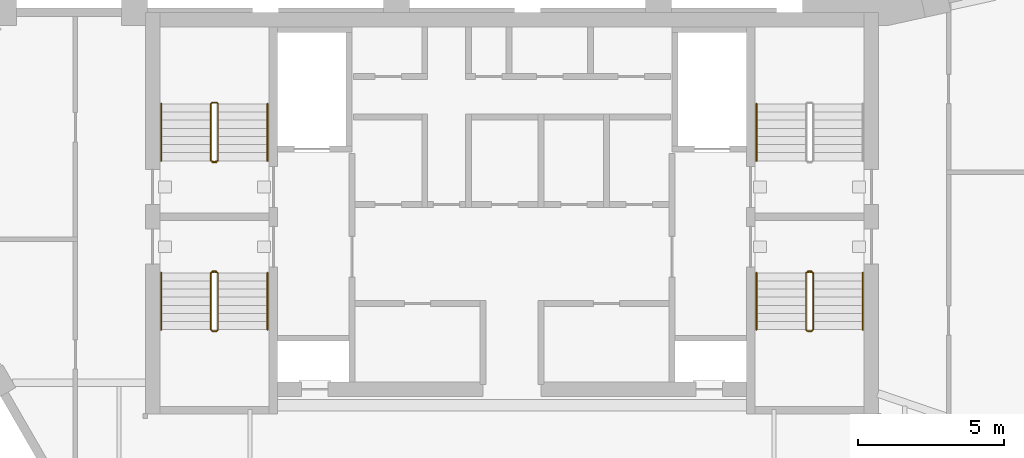
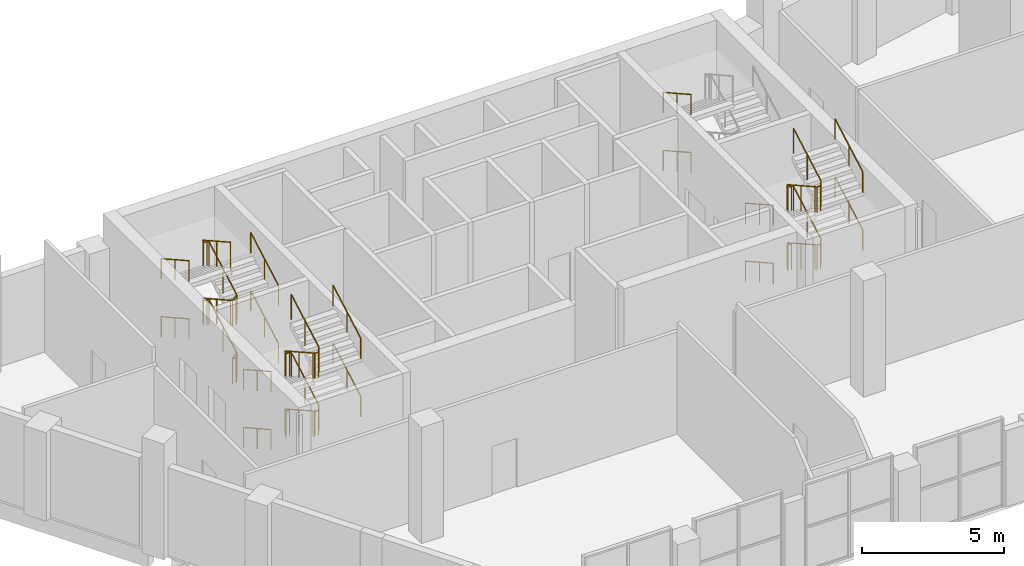
# One storey, part 8 of 9: 17 railings.
"""IFC4 building model written with IfcOpenShell, lengths in metres."""

import ifcopenshell
import ifcopenshell.guid

model = None  # the IFC model being written
_history = None  # IfcOwnerHistory: only IFC2X3 demands one
_inside = {}  # id of a spatial element -> (the spatial element, [elements in it])
_under = {}  # id of a project, library or spatial element -> (it, [spatial elements below it])
_declared = {}  # id of a project -> (the project, [libraries it declares])
_typed = {}  # id of a type object -> (the type object, [elements of that type])
_made_of = {}  # id of a material, layer set ... -> (it, [elements and type objects made of it])


def new_model(schema):
    """Start an empty IFC model of exactly this schema.

    Asked for "IFC4X3", IfcOpenShell would pick the latest addendum, in which some entities
    have other attributes; the version numbers below select the first issue.
    IFC2X3 requires an IfcOwnerHistory on every rooted entity: one is made here for all.
    """
    global model, _history
    if schema == "IFC4X3":
        model = ifcopenshell.file(schema_version=(4, 3, 0, 0))
    else:
        model = ifcopenshell.file(schema=schema)
    _inside.clear()
    _under.clear()
    _declared.clear()
    _typed.clear()
    _made_of.clear()
    _history = None
    if model.schema == "IFC2X3":
        org = make("IfcOrganization", Name="unknown")
        user = make(
            "IfcPersonAndOrganization",
            ThePerson=make("IfcPerson", FamilyName="unknown"),
            TheOrganization=org,
        )
        app = make(
            "IfcApplication",
            ApplicationDeveloper=org,
            Version="unknown",
            ApplicationFullName="unknown",
            ApplicationIdentifier="unknown",
        )
        _history = make(
            "IfcOwnerHistory",
            OwningUser=user,
            OwningApplication=app,
            ChangeAction="ADDED",
            CreationDate=0,
        )
    return model


def make(cls, **values):
    """One entity of the class cls with the attributes given. An attribute that is None is left unset."""
    return model.create_entity(
        cls, **{name: value for name, value in values.items() if value is not None}
    )


def rooted(cls, **values):
    """An entity with a GlobalId (a new one), such as an element, a storey or a relation."""
    return make(cls, GlobalId=ifcopenshell.guid.new(), OwnerHistory=_history, **values)


def si_unit(unit_type, name, prefix=None):
    """IfcSIUnit, for example si_unit("LENGTHUNIT", "METRE", prefix="MILLI")."""
    return make("IfcSIUnit", UnitType=unit_type, Prefix=prefix, Name=name)


def assignment(units):
    """IfcUnitAssignment: the units of a project."""
    return None if units is None else make("IfcUnitAssignment", Units=units)


def point(xyz):
    """IfcCartesianPoint."""
    return None if xyz is None else make("IfcCartesianPoint", Coordinates=xyz)


def direction(xyz):
    """IfcDirection."""
    return None if xyz is None else make("IfcDirection", DirectionRatios=xyz)


def frame(location, z_axis=None, x_axis=None):
    """IfcAxis2Placement3D, a coordinate frame: its origin and axes. An axis left out is left unset."""
    return make(
        "IfcAxis2Placement3D",
        Location=point(location),
        Axis=direction(z_axis),
        RefDirection=direction(x_axis),
    )


def frame_2d(location, x_axis=None):
    """IfcAxis2Placement2D, a coordinate frame in the plane: its origin and x axis."""
    return make(
        "IfcAxis2Placement2D", Location=point(location), RefDirection=direction(x_axis)
    )


def origin():
    """The frame at (0, 0, 0) with its axes left unset."""
    return frame((0.0, 0.0, 0.0))


def origin_2d():
    """The frame at (0, 0) in the plane with its x axis left unset."""
    return frame_2d((0.0, 0.0))


def place(relative_to, where):
    """IfcLocalPlacement: puts the frame where relative to a parent placement (None: the world)."""
    return make(
        "IfcLocalPlacement", PlacementRelTo=relative_to, RelativePlacement=where
    )


def context(
    kind, dimensions, precision=None, world=None, true_north=None, identifier=None
):
    """IfcGeometricRepresentationContext, for example the 3D "Model" context."""
    return make(
        "IfcGeometricRepresentationContext",
        ContextIdentifier=identifier,
        ContextType=kind,
        CoordinateSpaceDimension=dimensions,
        Precision=precision,
        WorldCoordinateSystem=world,
        TrueNorth=true_north,
    )


def subcontext(parent, identifier, kind, view, scale=None):
    """IfcGeometricRepresentationSubContext, for example "Body" below "Model"."""
    return make(
        "IfcGeometricRepresentationSubContext",
        ContextIdentifier=identifier,
        ContextType=kind,
        ParentContext=parent,
        TargetScale=scale,
        TargetView=view,
    )


def project(units=None, contexts=None):
    """IfcProject with its units and contexts."""
    return rooted(
        "IfcProject",
        Name="project",
        RepresentationContexts=contexts,
        UnitsInContext=assignment(units),
    )


def spatial(cls, under=None, at=None, **own):
    """A site, building, storey or space (cls), placed at a placement, below another one or the project."""
    s = rooted(cls, ObjectPlacement=at, **own)
    if under is not None:
        _under.setdefault(under.id(), (under, []))[1].append(s)
    return s


def profile(cls, at=None, kind="AREA", **sizes):
    """A parametric profile (cls). Its sizes go by their IFC names, for example OverallWidth=200.0."""
    return make(cls, ProfileType=kind, Position=at, **sizes)


def circle(**sizes):
    """IfcCircleProfileDef."""
    return profile("IfcCircleProfileDef", **sizes)


def extrude(swept, where, along, depth):
    """IfcExtrudedAreaSolid: the profile swept, set in the frame where, extruded along a direction by depth."""
    return make(
        "IfcExtrudedAreaSolid",
        SweptArea=swept,
        Position=where,
        ExtrudedDirection=direction(along),
        Depth=depth,
    )


def shape(context_of_items, identifier, shape_type, items):
    """IfcShapeRepresentation: the items that make up one representation, for example the "Body"."""
    return make(
        "IfcShapeRepresentation",
        ContextOfItems=context_of_items,
        RepresentationIdentifier=identifier,
        RepresentationType=shape_type,
        Items=items,
    )


def material(Name=None, Category=None):
    """IfcMaterial."""
    return make("IfcMaterial", Name=Name, Category=Category)


def made_of(thing, what):
    """Note that an element or type object is made of a material, layer set ...; save() writes the relation."""
    if what is not None:
        _made_of.setdefault(what.id(), (what, []))[1].append(thing)
    return thing


def type_object(cls, material=None, **own):
    """A type object (cls), such as IfcWallType, which elements share."""
    return made_of(rooted(cls, **own), material)


def element(
    cls,
    number,
    at=None,
    inside=None,
    cuts=None,
    type_object=None,
    material=None,
    context=None,
    identifier="Body",
    shape_type=None,
    held_by="IfcProductDefinitionShape",
    body=None,
    shapes=None,
    **own,
):
    """One element of the class cls, such as IfcWall. Its Tag is "e" and its number.

    at: its placement. inside: the storey or other place that contains it. cuts: it is an
    opening in that element (IfcRelVoidsElement). A single representation is given by context,
    identifier, shape_type and body (its items); several are given by shapes. held_by: the class
    of the entity that holds the representations. save() writes the other relations.
    """
    e = rooted(cls, Tag="e%d" % number, ObjectPlacement=at, **own)
    if body is not None:
        shapes = [shape(context, identifier, shape_type, body)]
    if shapes is not None:
        e.Representation = make(held_by, Representations=shapes)
    if inside is not None:
        _inside.setdefault(inside.id(), (inside, []))[1].append(e)
    if cuts is not None:
        rooted(
            "IfcRelVoidsElement", RelatingBuildingElement=cuts, RelatedOpeningElement=e
        )
    if type_object is not None:
        _typed.setdefault(type_object.id(), (type_object, []))[1].append(e)
    return made_of(e, material)


def aggregate(whole, parts):
    """IfcRelAggregates: a whole, such as a stair, and the parts it consists of."""
    return rooted("IfcRelAggregates", RelatingObject=whole, RelatedObjects=parts)


def save(model, path):
    """Write the relations noted so far, then the file.

    IfcRelAggregates (storeys below a building ...), IfcRelContainedInSpatialStructure (elements
    in a storey), IfcRelDefinesByType, IfcRelAssociatesMaterial and IfcRelDeclares: one each for
    every whole, place, type object, material and project.
    """
    for whole, parts in _under.values():
        aggregate(whole, parts)
    for where, things in _inside.values():
        rooted(
            "IfcRelContainedInSpatialStructure",
            RelatedElements=things,
            RelatingStructure=where,
        )
    for kind, things in _typed.values():
        rooted("IfcRelDefinesByType", RelatedObjects=things, RelatingType=kind)
    for what, things in _made_of.values():
        rooted("IfcRelAssociatesMaterial", RelatedObjects=things, RelatingMaterial=what)
    for by, libraries in _declared.values():
        rooted("IfcRelDeclares", RelatingContext=by, RelatedDefinitions=libraries)
    model.write(path)


model = new_model("IFC4")

# Units and contexts
model_context = context("Model", 3, precision=1e-05, world=origin(), true_north=direction((0.0, 1.0)))
body_context = subcontext(model_context, "Body", "Model", "MODEL_VIEW")
ifc_project = project(units=[si_unit("LENGTHUNIT", "METRE"), si_unit("AREAUNIT", "SQUARE_METRE"), si_unit("VOLUMEUNIT", "CUBIC_METRE"), si_unit("PLANEANGLEUNIT", "RADIAN"), si_unit("MASSUNIT", "GRAM", prefix="KILO")], contexts=[model_context])

# Site, building, storey
site_placement = place(None, origin())
site = spatial("IfcSite", under=ifc_project, at=site_placement, CompositionType="ELEMENT")
building_placement = place(site_placement, origin())
building = spatial("IfcBuilding", under=site, at=building_placement, Name="Calabash Gate Tower", CompositionType="ELEMENT")
storey_placement = place(building_placement, frame((0.0, 0.0, 325.5)))
storey = spatial("IfcBuildingStorey", under=building, at=storey_placement, Name="L76", CompositionType="ELEMENT", Elevation=325.5)

# Railings
ifc_material_1 = material(Name="Black powder-coated steel balusters", Category="steel")
railing_type_1 = type_object("IfcRailingType", Name="Stair guard RL1100", PredefinedType="GUARDRAIL", material=ifc_material_1)
railing_1_placement = place(storey_placement, frame((-10.14990234375, 13.902587890625, 0.0)))
element("IfcRailing", 1, at=railing_1_placement, inside=storey, type_object=railing_type_1, Name="L76 ST1 stair guard 1", PredefinedType="GUARDRAIL", context=body_context, shape_type="SweptSolid", body=[
    extrude(circle(Radius=0.02392578125, at=origin_2d()), frame((0.0, 0.0, 1.076171875), z_axis=(-1.0, 0.0, 0.0), x_axis=(0.0, -1.0, 0.0)), (0.0, 0.0, 1.0), 0.150146484375),
    extrude(circle(Radius=0.02392578125, at=origin_2d()), frame((-0.150146484375, 0.0, 1.076171875), z_axis=(0.77305925043, 0.19350078918, 0.604100024756), x_axis=(-0.242814311512, 0.970072785993, 0.0)), (0.0, 0.0, 1.0), 0.258544921875),
    extrude(circle(Radius=0.02392578125, at=origin_2d()), frame((0.0498046875, 0.050048828125, 1.232421875), z_axis=(0.0, 0.872479975208, 0.48864986735), x_axis=(-1.0, 0.0, 0.0)), (0.0, 0.0, 1.0), 2.23828125),
    extrude(circle(Radius=0.02392578125, at=origin_2d()), frame((0.0498046875, 2.0029296875, 2.326171875), z_axis=(-0.705375805398, 0.708833529934, 0.0), x_axis=(-0.708833529934, -0.705375805398, 0.0)), (0.0, 0.0, 1.0), 0.070556640625),
    extrude(circle(Radius=0.02392578125, at=origin_2d()), frame((0.0, 2.052978515625, 2.326171875), z_axis=(-1.0, 0.0, 0.0), x_axis=(0.0, -1.0, 0.0)), (0.0, 0.0, 1.0), 0.150146484375),
    extrude(circle(Radius=0.02392578125, at=origin_2d()), frame((-0.150146484375, 2.052978515625, 2.326171875), z_axis=(-0.29177245553, -0.29177245553, 0.91089937336), x_axis=(0.707106781187, -0.707106781187, 0.0)), (0.0, 0.0, 1.0), 0.171630859375),
    extrude(circle(Radius=0.02392578125, at=origin_2d()), frame((-0.2001953125, 2.0029296875, 2.482421875), z_axis=(0.0, -0.872479975208, 0.48864986735), x_axis=(1.0, 0.0, 0.0)), (0.0, 0.0, 1.0), 2.23828125),
    extrude(circle(Radius=0.02392578125, at=origin_2d()), frame((-0.2001953125, 0.050048828125, 3.576171875), z_axis=(0.970142500145, -0.242535625036, 0.0), x_axis=(0.242535625036, 0.970142500145, 0.0)), (0.0, 0.0, 1.0), 0.206298828125),
    extrude(circle(Radius=0.02392578125, at=origin_2d()), frame((0.0, 0.0, 3.576171875), z_axis=(-1.0, 0.0, 0.0), x_axis=(0.0, -1.0, 0.0)), (0.0, 0.0, 1.0), 0.150146484375),
    extrude(circle(Radius=0.02392578125, at=origin_2d()), frame((-0.150146484375, 0.0, 3.576171875), z_axis=(0.77305925043, 0.19350078918, 0.604100024756), x_axis=(-0.242814311512, 0.970072785993, 0.0)), (0.0, 0.0, 1.0), 0.258544921875),
    extrude(circle(Radius=0.02392578125, at=origin_2d()), frame((0.0498046875, 0.050048828125, 3.732421875), z_axis=(0.0, 0.872479975208, 0.48864986735), x_axis=(-1.0, 0.0, 0.0)), (0.0, 0.0, 1.0), 2.23828125),
    extrude(circle(Radius=0.02392578125, at=origin_2d()), frame((0.0498046875, 2.0029296875, 4.826171875), z_axis=(-0.705375805398, 0.708833529934, 0.0), x_axis=(-0.708833529934, -0.705375805398, 0.0)), (0.0, 0.0, 1.0), 0.070556640625),
    extrude(circle(Radius=0.02392578125, at=origin_2d()), frame((0.0, 2.052978515625, 4.826171875), z_axis=(-1.0, 0.0, 0.0), x_axis=(0.0, -1.0, 0.0)), (0.0, 0.0, 1.0), 0.150146484375),
    extrude(circle(Radius=0.02392578125, at=origin_2d()), frame((-0.150146484375, 2.052978515625, 4.826171875), z_axis=(-0.29177245553, -0.29177245553, 0.91089937336), x_axis=(0.707106781187, -0.707106781187, 0.0)), (0.0, 0.0, 1.0), 0.171630859375),
    extrude(circle(Radius=0.02392578125, at=origin_2d()), frame((-0.2001953125, 2.0029296875, 4.982421875), z_axis=(0.0, -0.872479975208, 0.48864986735), x_axis=(1.0, 0.0, 0.0)), (0.0, 0.0, 1.0), 2.23828125),
    extrude(circle(Radius=0.02099609375, at=origin_2d()), origin(), (0.0, 0.0, 1.0), 1.052001953125),
    extrude(circle(Radius=0.02099609375, at=origin_2d()), frame((-0.150146484375, 0.0, 0.0)), (0.0, 0.0, 1.0), 1.052001953125),
    extrude(circle(Radius=0.02099609375, at=origin_2d()), frame((0.0498046875, 0.050048828125, 0.15625)), (0.0, 0.0, 1.0), 1.052001953125),
    extrude(circle(Radius=0.02099609375, at=origin_2d()), frame((0.0498046875, 1.0263671875, 0.703125)), (0.0, 0.0, 1.0), 1.052001953125),
    extrude(circle(Radius=0.02099609375, at=origin_2d()), frame((0.0498046875, 2.0029296875, 1.25)), (0.0, 0.0, 1.0), 1.052001953125),
    extrude(circle(Radius=0.02099609375, at=origin_2d()), frame((0.0, 2.052978515625, 1.25)), (0.0, 0.0, 1.0), 1.052001953125),
    extrude(circle(Radius=0.02099609375, at=origin_2d()), frame((-0.150146484375, 2.052978515625, 1.25)), (0.0, 0.0, 1.0), 1.052001953125),
    extrude(circle(Radius=0.02099609375, at=origin_2d()), frame((-0.2001953125, 2.0029296875, 1.40625)), (0.0, 0.0, 1.0), 1.052001953125),
    extrude(circle(Radius=0.02099609375, at=origin_2d()), frame((-0.2001953125, 1.0263671875, 1.953125)), (0.0, 0.0, 1.0), 1.052001953125),
    extrude(circle(Radius=0.02099609375, at=origin_2d()), frame((-0.2001953125, 0.050048828125, 2.5)), (0.0, 0.0, 1.0), 1.052001953125),
    extrude(circle(Radius=0.02099609375, at=origin_2d()), frame((0.0, 0.0, 2.5)), (0.0, 0.0, 1.0), 1.052001953125),
    extrude(circle(Radius=0.02099609375, at=origin_2d()), frame((-0.150146484375, 0.0, 2.5)), (0.0, 0.0, 1.0), 1.052001953125),
    extrude(circle(Radius=0.02099609375, at=origin_2d()), frame((0.0498046875, 0.050048828125, 2.65625)), (0.0, 0.0, 1.0), 1.052001953125),
    extrude(circle(Radius=0.02099609375, at=origin_2d()), frame((0.0498046875, 1.0263671875, 3.203125)), (0.0, 0.0, 1.0), 1.052001953125),
    extrude(circle(Radius=0.02099609375, at=origin_2d()), frame((0.0498046875, 2.0029296875, 3.75)), (0.0, 0.0, 1.0), 1.052001953125),
    extrude(circle(Radius=0.02099609375, at=origin_2d()), frame((0.0, 2.052978515625, 3.75)), (0.0, 0.0, 1.0), 1.052001953125),
    extrude(circle(Radius=0.02099609375, at=origin_2d()), frame((-0.150146484375, 2.052978515625, 3.75)), (0.0, 0.0, 1.0), 1.052001953125),
    extrude(circle(Radius=0.02099609375, at=origin_2d()), frame((-0.2001953125, 2.0029296875, 3.90625)), (0.0, 0.0, 1.0), 1.052001953125),
    extrude(circle(Radius=0.02099609375, at=origin_2d()), frame((-0.2001953125, 1.0263671875, 4.453125)), (0.0, 0.0, 1.0), 1.052001953125),
    extrude(circle(Radius=0.02099609375, at=origin_2d()), frame((-0.2001953125, 0.050048828125, 5.0)), (0.0, 0.0, 1.0), 1.052001953125),
])
railing_2_placement = place(storey_placement, frame((-10.300048828125, 10.152587890625, 0.0)))
element("IfcRailing", 2, at=railing_2_placement, inside=storey, type_object=railing_type_1, Name="L76 ST2 stair guard 1", PredefinedType="GUARDRAIL", context=body_context, shape_type="SweptSolid", body=[
    extrude(circle(Radius=0.02392578125, at=origin_2d()), frame((0.0, 0.0, 1.076171875), z_axis=(1.0, 0.0, 0.0), x_axis=(0.0, 1.0, 0.0)), (0.0, 0.0, 1.0), 0.150146484375),
    extrude(circle(Radius=0.02392578125, at=origin_2d()), frame((0.150146484375, 0.0, 1.076171875), z_axis=(-0.773438643492, -0.193359660873, 0.603659429067), x_axis=(0.242535625036, -0.970142500145, 0.0)), (0.0, 0.0, 1.0), 0.2587890625),
    extrude(circle(Radius=0.02392578125, at=origin_2d()), frame((-0.050048828125, -0.050048828125, 1.232421875), z_axis=(0.0, -0.872479975208, 0.48864986735), x_axis=(1.0, 0.0, 0.0)), (0.0, 0.0, 1.0), 2.23828125),
    extrude(circle(Radius=0.02392578125, at=origin_2d()), frame((-0.050048828125, -2.0029296875, 2.326171875), z_axis=(0.707106781187, -0.707106781187, 0.0), x_axis=(0.707106781187, 0.707106781187, 0.0)), (0.0, 0.0, 1.0), 0.07080078125),
    extrude(circle(Radius=0.02392578125, at=origin_2d()), frame((0.0, -2.052978515625, 2.326171875), z_axis=(1.0, 0.0, 0.0), x_axis=(0.0, 1.0, 0.0)), (0.0, 0.0, 1.0), 0.150146484375),
    extrude(circle(Radius=0.02392578125, at=origin_2d()), frame((0.150146484375, -2.052978515625, 2.326171875), z_axis=(0.290469530425, 0.291893400672, 0.911276958196), x_axis=(-0.708833529934, 0.705375805398, 0.0)), (0.0, 0.0, 1.0), 0.17138671875),
    extrude(circle(Radius=0.02392578125, at=origin_2d()), frame((0.199951171875, -2.0029296875, 2.482421875), z_axis=(0.0, 0.872479975208, 0.48864986735), x_axis=(-1.0, 0.0, 0.0)), (0.0, 0.0, 1.0), 2.23828125),
    extrude(circle(Radius=0.02392578125, at=origin_2d()), frame((0.199951171875, -0.050048828125, 3.576171875), z_axis=(-0.970072785993, 0.242814311512, 0.0), x_axis=(-0.242814311512, -0.970072785993, 0.0)), (0.0, 0.0, 1.0), 0.2060546875),
    extrude(circle(Radius=0.02392578125, at=origin_2d()), frame((0.0, 0.0, 3.576171875), z_axis=(1.0, 0.0, 0.0), x_axis=(0.0, 1.0, 0.0)), (0.0, 0.0, 1.0), 0.150146484375),
    extrude(circle(Radius=0.02392578125, at=origin_2d()), frame((0.150146484375, 0.0, 3.576171875), z_axis=(-0.773438643492, -0.193359660873, 0.603659429067), x_axis=(0.242535625036, -0.970142500145, 0.0)), (0.0, 0.0, 1.0), 0.2587890625),
    extrude(circle(Radius=0.02392578125, at=origin_2d()), frame((-0.050048828125, -0.050048828125, 3.732421875), z_axis=(0.0, -0.872479975208, 0.48864986735), x_axis=(1.0, 0.0, 0.0)), (0.0, 0.0, 1.0), 2.23828125),
    extrude(circle(Radius=0.02392578125, at=origin_2d()), frame((-0.050048828125, -2.0029296875, 4.826171875), z_axis=(0.707106781187, -0.707106781187, 0.0), x_axis=(0.707106781187, 0.707106781187, 0.0)), (0.0, 0.0, 1.0), 0.07080078125),
    extrude(circle(Radius=0.02392578125, at=origin_2d()), frame((0.0, -2.052978515625, 4.826171875), z_axis=(1.0, 0.0, 0.0), x_axis=(0.0, 1.0, 0.0)), (0.0, 0.0, 1.0), 0.150146484375),
    extrude(circle(Radius=0.02392578125, at=origin_2d()), frame((0.150146484375, -2.052978515625, 4.826171875), z_axis=(0.290469530425, 0.291893400672, 0.911276958196), x_axis=(-0.708833529934, 0.705375805398, 0.0)), (0.0, 0.0, 1.0), 0.17138671875),
    extrude(circle(Radius=0.02392578125, at=origin_2d()), frame((0.199951171875, -2.0029296875, 4.982421875), z_axis=(0.0, 0.872479975208, 0.48864986735), x_axis=(-1.0, 0.0, 0.0)), (0.0, 0.0, 1.0), 2.23828125),
    extrude(circle(Radius=0.02099609375, at=origin_2d()), origin(), (0.0, 0.0, 1.0), 1.052001953125),
    extrude(circle(Radius=0.02099609375, at=origin_2d()), frame((0.150146484375, 0.0, 0.0)), (0.0, 0.0, 1.0), 1.052001953125),
    extrude(circle(Radius=0.02099609375, at=origin_2d()), frame((-0.050048828125, -0.050048828125, 0.15625)), (0.0, 0.0, 1.0), 1.052001953125),
    extrude(circle(Radius=0.02099609375, at=origin_2d()), frame((-0.050048828125, -1.0263671875, 0.703125)), (0.0, 0.0, 1.0), 1.052001953125),
    extrude(circle(Radius=0.02099609375, at=origin_2d()), frame((-0.050048828125, -2.0029296875, 1.25)), (0.0, 0.0, 1.0), 1.052001953125),
    extrude(circle(Radius=0.02099609375, at=origin_2d()), frame((0.0, -2.052978515625, 1.25)), (0.0, 0.0, 1.0), 1.052001953125),
    extrude(circle(Radius=0.02099609375, at=origin_2d()), frame((0.150146484375, -2.052978515625, 1.25)), (0.0, 0.0, 1.0), 1.052001953125),
    extrude(circle(Radius=0.02099609375, at=origin_2d()), frame((0.199951171875, -2.0029296875, 1.40625)), (0.0, 0.0, 1.0), 1.052001953125),
    extrude(circle(Radius=0.02099609375, at=origin_2d()), frame((0.199951171875, -1.0263671875, 1.953125)), (0.0, 0.0, 1.0), 1.052001953125),
    extrude(circle(Radius=0.02099609375, at=origin_2d()), frame((0.199951171875, -0.050048828125, 2.5)), (0.0, 0.0, 1.0), 1.052001953125),
    extrude(circle(Radius=0.02099609375, at=origin_2d()), frame((0.0, 0.0, 2.5)), (0.0, 0.0, 1.0), 1.052001953125),
    extrude(circle(Radius=0.02099609375, at=origin_2d()), frame((0.150146484375, 0.0, 2.5)), (0.0, 0.0, 1.0), 1.052001953125),
    extrude(circle(Radius=0.02099609375, at=origin_2d()), frame((-0.050048828125, -0.050048828125, 2.65625)), (0.0, 0.0, 1.0), 1.052001953125),
    extrude(circle(Radius=0.02099609375, at=origin_2d()), frame((-0.050048828125, -1.0263671875, 3.203125)), (0.0, 0.0, 1.0), 1.052001953125),
    extrude(circle(Radius=0.02099609375, at=origin_2d()), frame((-0.050048828125, -2.0029296875, 3.75)), (0.0, 0.0, 1.0), 1.052001953125),
    extrude(circle(Radius=0.02099609375, at=origin_2d()), frame((0.0, -2.052978515625, 3.75)), (0.0, 0.0, 1.0), 1.052001953125),
    extrude(circle(Radius=0.02099609375, at=origin_2d()), frame((0.150146484375, -2.052978515625, 3.75)), (0.0, 0.0, 1.0), 1.052001953125),
    extrude(circle(Radius=0.02099609375, at=origin_2d()), frame((0.199951171875, -2.0029296875, 3.90625)), (0.0, 0.0, 1.0), 1.052001953125),
    extrude(circle(Radius=0.02099609375, at=origin_2d()), frame((0.199951171875, -1.0263671875, 4.453125)), (0.0, 0.0, 1.0), 1.052001953125),
    extrude(circle(Radius=0.02099609375, at=origin_2d()), frame((0.199951171875, -0.050048828125, 5.0)), (0.0, 0.0, 1.0), 1.052001953125),
])
railing_3_placement = place(storey_placement, frame((10.14990234375, 10.152587890625, 0.0)))
element("IfcRailing", 3, at=railing_3_placement, inside=storey, type_object=railing_type_1, Name="L76 ST4 stair guard 1", PredefinedType="GUARDRAIL", context=body_context, shape_type="SweptSolid", body=[
    extrude(circle(Radius=0.02392578125, at=origin_2d()), frame((0.0, 0.0, 1.076171875), z_axis=(1.0, 0.0, 0.0), x_axis=(0.0, 1.0, 0.0)), (0.0, 0.0, 1.0), 0.150146484375),
    extrude(circle(Radius=0.02392578125, at=origin_2d()), frame((0.150146484375, 0.0, 1.076171875), z_axis=(-0.77305925043, -0.19350078918, 0.604100024756), x_axis=(0.242814311512, -0.970072785993, 0.0)), (0.0, 0.0, 1.0), 0.258544921875),
    extrude(circle(Radius=0.02392578125, at=origin_2d()), frame((-0.0498046875, -0.050048828125, 1.232421875), z_axis=(0.0, -0.872479975208, 0.48864986735), x_axis=(1.0, 0.0, 0.0)), (0.0, 0.0, 1.0), 2.23828125),
    extrude(circle(Radius=0.02392578125, at=origin_2d()), frame((-0.0498046875, -2.0029296875, 2.326171875), z_axis=(0.705375805398, -0.708833529934, 0.0), x_axis=(0.708833529934, 0.705375805398, 0.0)), (0.0, 0.0, 1.0), 0.070556640625),
    extrude(circle(Radius=0.02392578125, at=origin_2d()), frame((0.0, -2.052978515625, 2.326171875), z_axis=(1.0, 0.0, 0.0), x_axis=(0.0, 1.0, 0.0)), (0.0, 0.0, 1.0), 0.150146484375),
    extrude(circle(Radius=0.02392578125, at=origin_2d()), frame((0.150146484375, -2.052978515625, 2.326171875), z_axis=(0.29177245553, 0.29177245553, 0.91089937336), x_axis=(-0.707106781187, 0.707106781187, 0.0)), (0.0, 0.0, 1.0), 0.171630859375),
    extrude(circle(Radius=0.02392578125, at=origin_2d()), frame((0.2001953125, -2.0029296875, 2.482421875), z_axis=(0.0, 0.872479975208, 0.48864986735), x_axis=(-1.0, 0.0, 0.0)), (0.0, 0.0, 1.0), 2.23828125),
    extrude(circle(Radius=0.02392578125, at=origin_2d()), frame((0.2001953125, -0.050048828125, 3.576171875), z_axis=(-0.970142500145, 0.242535625036, 0.0), x_axis=(-0.242535625036, -0.970142500145, 0.0)), (0.0, 0.0, 1.0), 0.206298828125),
    extrude(circle(Radius=0.02392578125, at=origin_2d()), frame((0.0, 0.0, 3.576171875), z_axis=(1.0, 0.0, 0.0), x_axis=(0.0, 1.0, 0.0)), (0.0, 0.0, 1.0), 0.150146484375),
    extrude(circle(Radius=0.02392578125, at=origin_2d()), frame((0.150146484375, 0.0, 3.576171875), z_axis=(-0.77305925043, -0.19350078918, 0.604100024756), x_axis=(0.242814311512, -0.970072785993, 0.0)), (0.0, 0.0, 1.0), 0.258544921875),
    extrude(circle(Radius=0.02392578125, at=origin_2d()), frame((-0.0498046875, -0.050048828125, 3.732421875), z_axis=(0.0, -0.872479975208, 0.48864986735), x_axis=(1.0, 0.0, 0.0)), (0.0, 0.0, 1.0), 2.23828125),
    extrude(circle(Radius=0.02392578125, at=origin_2d()), frame((-0.0498046875, -2.0029296875, 4.826171875), z_axis=(0.705375805398, -0.708833529934, 0.0), x_axis=(0.708833529934, 0.705375805398, 0.0)), (0.0, 0.0, 1.0), 0.070556640625),
    extrude(circle(Radius=0.02392578125, at=origin_2d()), frame((0.0, -2.052978515625, 4.826171875), z_axis=(1.0, 0.0, 0.0), x_axis=(0.0, 1.0, 0.0)), (0.0, 0.0, 1.0), 0.150146484375),
    extrude(circle(Radius=0.02392578125, at=origin_2d()), frame((0.150146484375, -2.052978515625, 4.826171875), z_axis=(0.29177245553, 0.29177245553, 0.91089937336), x_axis=(-0.707106781187, 0.707106781187, 0.0)), (0.0, 0.0, 1.0), 0.171630859375),
    extrude(circle(Radius=0.02392578125, at=origin_2d()), frame((0.2001953125, -2.0029296875, 4.982421875), z_axis=(0.0, 0.872479975208, 0.48864986735), x_axis=(-1.0, 0.0, 0.0)), (0.0, 0.0, 1.0), 2.23828125),
    extrude(circle(Radius=0.02099609375, at=origin_2d()), origin(), (0.0, 0.0, 1.0), 1.052001953125),
    extrude(circle(Radius=0.02099609375, at=origin_2d()), frame((0.150146484375, 0.0, 0.0)), (0.0, 0.0, 1.0), 1.052001953125),
    extrude(circle(Radius=0.02099609375, at=origin_2d()), frame((-0.0498046875, -0.050048828125, 0.15625)), (0.0, 0.0, 1.0), 1.052001953125),
    extrude(circle(Radius=0.02099609375, at=origin_2d()), frame((-0.0498046875, -1.0263671875, 0.703125)), (0.0, 0.0, 1.0), 1.052001953125),
    extrude(circle(Radius=0.02099609375, at=origin_2d()), frame((-0.0498046875, -2.0029296875, 1.25)), (0.0, 0.0, 1.0), 1.052001953125),
    extrude(circle(Radius=0.02099609375, at=origin_2d()), frame((0.0, -2.052978515625, 1.25)), (0.0, 0.0, 1.0), 1.052001953125),
    extrude(circle(Radius=0.02099609375, at=origin_2d()), frame((0.150146484375, -2.052978515625, 1.25)), (0.0, 0.0, 1.0), 1.052001953125),
    extrude(circle(Radius=0.02099609375, at=origin_2d()), frame((0.2001953125, -2.0029296875, 1.40625)), (0.0, 0.0, 1.0), 1.052001953125),
    extrude(circle(Radius=0.02099609375, at=origin_2d()), frame((0.2001953125, -1.0263671875, 1.953125)), (0.0, 0.0, 1.0), 1.052001953125),
    extrude(circle(Radius=0.02099609375, at=origin_2d()), frame((0.2001953125, -0.050048828125, 2.5)), (0.0, 0.0, 1.0), 1.052001953125),
    extrude(circle(Radius=0.02099609375, at=origin_2d()), frame((0.0, 0.0, 2.5)), (0.0, 0.0, 1.0), 1.052001953125),
    extrude(circle(Radius=0.02099609375, at=origin_2d()), frame((0.150146484375, 0.0, 2.5)), (0.0, 0.0, 1.0), 1.052001953125),
    extrude(circle(Radius=0.02099609375, at=origin_2d()), frame((-0.0498046875, -0.050048828125, 2.65625)), (0.0, 0.0, 1.0), 1.052001953125),
    extrude(circle(Radius=0.02099609375, at=origin_2d()), frame((-0.0498046875, -1.0263671875, 3.203125)), (0.0, 0.0, 1.0), 1.052001953125),
    extrude(circle(Radius=0.02099609375, at=origin_2d()), frame((-0.0498046875, -2.0029296875, 3.75)), (0.0, 0.0, 1.0), 1.052001953125),
    extrude(circle(Radius=0.02099609375, at=origin_2d()), frame((0.0, -2.052978515625, 3.75)), (0.0, 0.0, 1.0), 1.052001953125),
    extrude(circle(Radius=0.02099609375, at=origin_2d()), frame((0.150146484375, -2.052978515625, 3.75)), (0.0, 0.0, 1.0), 1.052001953125),
    extrude(circle(Radius=0.02099609375, at=origin_2d()), frame((0.2001953125, -2.0029296875, 3.90625)), (0.0, 0.0, 1.0), 1.052001953125),
    extrude(circle(Radius=0.02099609375, at=origin_2d()), frame((0.2001953125, -1.0263671875, 4.453125)), (0.0, 0.0, 1.0), 1.052001953125),
    extrude(circle(Radius=0.02099609375, at=origin_2d()), frame((0.2001953125, -0.050048828125, 5.0)), (0.0, 0.0, 1.0), 1.052001953125),
])
ifc_material_2 = material(Name="Black powder-coated steel tube 48 mm", Category="steel")
railing_type_2 = type_object("IfcRailingType", Name="Stair handrail RL900", PredefinedType="HANDRAIL", material=ifc_material_2)
railing_4_placement = place(storey_placement, frame((-8.39990234375, 13.95263671875, 0.15625)))
element("IfcRailing", 4, at=railing_4_placement, inside=storey, type_object=railing_type_2, Name="L76 ST1 stair handrail 1", PredefinedType="HANDRAIL", context=body_context, shape_type="SweptSolid", body=[
    extrude(circle(Radius=0.02392578125, at=origin_2d()), frame((0.0, 0.0, 0.8759765625), z_axis=(0.0, 0.872479975208, 0.48864986735), x_axis=(-1.0, 0.0, 0.0)), (0.0, 0.0, 1.0), 2.23828125),
    extrude(circle(Radius=0.02099609375, at=origin_2d()), origin(), (0.0, 0.0, 1.0), 0.851806640625),
    extrude(circle(Radius=0.02099609375, at=origin_2d()), frame((0.0, 0.9765625, 0.546875)), (0.0, 0.0, 1.0), 0.851806640625),
    extrude(circle(Radius=0.02099609375, at=origin_2d()), frame((0.0, 1.952880859375, 1.09375)), (0.0, 0.0, 1.0), 0.851806640625),
])
railing_5_placement = place(storey_placement, frame((-12.050048828125, 15.905517578125, 1.40625)))
element("IfcRailing", 5, at=railing_5_placement, inside=storey, type_object=railing_type_2, Name="L76 ST1 stair handrail 2", PredefinedType="HANDRAIL", context=body_context, shape_type="SweptSolid", body=[
    extrude(circle(Radius=0.02392578125, at=origin_2d()), frame((0.0, 0.0, 0.8759765625), z_axis=(0.0, -0.872479975208, 0.48864986735), x_axis=(1.0, 0.0, 0.0)), (0.0, 0.0, 1.0), 2.23828125),
    extrude(circle(Radius=0.02099609375, at=origin_2d()), origin(), (0.0, 0.0, 1.0), 0.851806640625),
    extrude(circle(Radius=0.02099609375, at=origin_2d()), frame((0.0, -0.9765625, 0.546875)), (0.0, 0.0, 1.0), 0.851806640625),
    extrude(circle(Radius=0.02099609375, at=origin_2d()), frame((0.0, -1.952880859375, 1.09375)), (0.0, 0.0, 1.0), 0.851806640625),
])
railing_6_placement = place(storey_placement, frame((-8.39990234375, 13.95263671875, 2.65625)))
element("IfcRailing", 6, at=railing_6_placement, inside=storey, type_object=railing_type_2, Name="L76 ST1 stair handrail 3", PredefinedType="HANDRAIL", context=body_context, shape_type="SweptSolid", body=[
    extrude(circle(Radius=0.02392578125, at=origin_2d()), frame((0.0, 0.0, 0.8759765625), z_axis=(0.0, 0.872479975208, 0.48864986735), x_axis=(-1.0, 0.0, 0.0)), (0.0, 0.0, 1.0), 2.23828125),
    extrude(circle(Radius=0.02099609375, at=origin_2d()), origin(), (0.0, 0.0, 1.0), 0.851806640625),
    extrude(circle(Radius=0.02099609375, at=origin_2d()), frame((0.0, 0.9765625, 0.546875)), (0.0, 0.0, 1.0), 0.851806640625),
    extrude(circle(Radius=0.02099609375, at=origin_2d()), frame((0.0, 1.952880859375, 1.09375)), (0.0, 0.0, 1.0), 0.851806640625),
])
for number, where, name in (
    (7, (-12.050048828125, 15.905517578125, 3.90625), "L76 ST1 stair handrail 4"),
    (8, (-12.050048828125, 10.1025390625, 0.15625), "L76 ST2 stair handrail 1"),
):
    element("IfcRailing", number, at=place(storey_placement, frame(where)), inside=storey, type_object=railing_type_2, Name=name, PredefinedType="HANDRAIL", context=body_context, shape_type="SweptSolid", body=[
        extrude(circle(Radius=0.02392578125, at=origin_2d()), frame((0.0, 0.0, 0.8759765625), z_axis=(0.0, -0.872479975208, 0.48864986735), x_axis=(1.0, 0.0, 0.0)), (0.0, 0.0, 1.0), 2.23828125),
        extrude(circle(Radius=0.02099609375, at=origin_2d()), origin(), (0.0, 0.0, 1.0), 0.851806640625),
        extrude(circle(Radius=0.02099609375, at=origin_2d()), frame((0.0, -0.9765625, 0.546875)), (0.0, 0.0, 1.0), 0.851806640625),
        extrude(circle(Radius=0.02099609375, at=origin_2d()), frame((0.0, -1.952880859375, 1.09375)), (0.0, 0.0, 1.0), 0.851806640625),
    ])
railing_7_placement = place(storey_placement, frame((-8.39990234375, 8.149658203125, 1.40625)))
element("IfcRailing", 9, at=railing_7_placement, inside=storey, type_object=railing_type_2, Name="L76 ST2 stair handrail 2", PredefinedType="HANDRAIL", context=body_context, shape_type="SweptSolid", body=[
    extrude(circle(Radius=0.02392578125, at=origin_2d()), frame((0.0, 0.0, 0.8759765625), z_axis=(0.0, 0.872479975208, 0.48864986735), x_axis=(-1.0, 0.0, 0.0)), (0.0, 0.0, 1.0), 2.23828125),
    extrude(circle(Radius=0.02099609375, at=origin_2d()), origin(), (0.0, 0.0, 1.0), 0.851806640625),
    extrude(circle(Radius=0.02099609375, at=origin_2d()), frame((0.0, 0.9765625, 0.546875)), (0.0, 0.0, 1.0), 0.851806640625),
    extrude(circle(Radius=0.02099609375, at=origin_2d()), frame((0.0, 1.952880859375, 1.09375)), (0.0, 0.0, 1.0), 0.851806640625),
])
railing_8_placement = place(storey_placement, frame((-12.050048828125, 10.1025390625, 2.65625)))
element("IfcRailing", 10, at=railing_8_placement, inside=storey, type_object=railing_type_2, Name="L76 ST2 stair handrail 3", PredefinedType="HANDRAIL", context=body_context, shape_type="SweptSolid", body=[
    extrude(circle(Radius=0.02392578125, at=origin_2d()), frame((0.0, 0.0, 0.8759765625), z_axis=(0.0, -0.872479975208, 0.48864986735), x_axis=(1.0, 0.0, 0.0)), (0.0, 0.0, 1.0), 2.23828125),
    extrude(circle(Radius=0.02099609375, at=origin_2d()), origin(), (0.0, 0.0, 1.0), 0.851806640625),
    extrude(circle(Radius=0.02099609375, at=origin_2d()), frame((0.0, -0.9765625, 0.546875)), (0.0, 0.0, 1.0), 0.851806640625),
    extrude(circle(Radius=0.02099609375, at=origin_2d()), frame((0.0, -1.952880859375, 1.09375)), (0.0, 0.0, 1.0), 0.851806640625),
])
railing_9_placement = place(storey_placement, frame((-8.39990234375, 8.149658203125, 3.90625)))
element("IfcRailing", 11, at=railing_9_placement, inside=storey, type_object=railing_type_2, Name="L76 ST2 stair handrail 4", PredefinedType="HANDRAIL", context=body_context, shape_type="SweptSolid", body=[
    extrude(circle(Radius=0.02392578125, at=origin_2d()), frame((0.0, 0.0, 0.8759765625), z_axis=(0.0, 0.872479975208, 0.48864986735), x_axis=(-1.0, 0.0, 0.0)), (0.0, 0.0, 1.0), 2.23828125),
    extrude(circle(Radius=0.02099609375, at=origin_2d()), origin(), (0.0, 0.0, 1.0), 0.851806640625),
    extrude(circle(Radius=0.02099609375, at=origin_2d()), frame((0.0, 0.9765625, 0.546875)), (0.0, 0.0, 1.0), 0.851806640625),
    extrude(circle(Radius=0.02099609375, at=origin_2d()), frame((0.0, 1.952880859375, 1.09375)), (0.0, 0.0, 1.0), 0.851806640625),
])
for number, where, name in (
    (12, (8.39990234375, 15.905517578125, 1.40625), "L76 ST3 stair handrail 2"),
    (13, (8.39990234375, 15.905517578125, 3.90625), "L76 ST3 stair handrail 4"),
    (14, (8.39990234375, 10.1025390625, 0.15625), "L76 ST4 stair handrail 1"),
):
    element("IfcRailing", number, at=place(storey_placement, frame(where)), inside=storey, type_object=railing_type_2, Name=name, PredefinedType="HANDRAIL", context=body_context, shape_type="SweptSolid", body=[
        extrude(circle(Radius=0.02392578125, at=origin_2d()), frame((0.0, 0.0, 0.8759765625), z_axis=(0.0, -0.872479975208, 0.48864986735), x_axis=(1.0, 0.0, 0.0)), (0.0, 0.0, 1.0), 2.23828125),
        extrude(circle(Radius=0.02099609375, at=origin_2d()), origin(), (0.0, 0.0, 1.0), 0.851806640625),
        extrude(circle(Radius=0.02099609375, at=origin_2d()), frame((0.0, -0.9765625, 0.546875)), (0.0, 0.0, 1.0), 0.851806640625),
        extrude(circle(Radius=0.02099609375, at=origin_2d()), frame((0.0, -1.952880859375, 1.09375)), (0.0, 0.0, 1.0), 0.851806640625),
    ])
railing_10_placement = place(storey_placement, frame((12.050048828125, 8.149658203125, 1.40625)))
element("IfcRailing", 15, at=railing_10_placement, inside=storey, type_object=railing_type_2, Name="L76 ST4 stair handrail 2", PredefinedType="HANDRAIL", context=body_context, shape_type="SweptSolid", body=[
    extrude(circle(Radius=0.02392578125, at=origin_2d()), frame((0.0, 0.0, 0.8759765625), z_axis=(0.0, 0.872479975208, 0.48864986735), x_axis=(-1.0, 0.0, 0.0)), (0.0, 0.0, 1.0), 2.23828125),
    extrude(circle(Radius=0.02099609375, at=origin_2d()), origin(), (0.0, 0.0, 1.0), 0.851806640625),
    extrude(circle(Radius=0.02099609375, at=origin_2d()), frame((0.0, 0.9765625, 0.546875)), (0.0, 0.0, 1.0), 0.851806640625),
    extrude(circle(Radius=0.02099609375, at=origin_2d()), frame((0.0, 1.952880859375, 1.09375)), (0.0, 0.0, 1.0), 0.851806640625),
])
railing_11_placement = place(storey_placement, frame((8.39990234375, 10.1025390625, 2.65625)))
element("IfcRailing", 16, at=railing_11_placement, inside=storey, type_object=railing_type_2, Name="L76 ST4 stair handrail 3", PredefinedType="HANDRAIL", context=body_context, shape_type="SweptSolid", body=[
    extrude(circle(Radius=0.02392578125, at=origin_2d()), frame((0.0, 0.0, 0.8759765625), z_axis=(0.0, -0.872479975208, 0.48864986735), x_axis=(1.0, 0.0, 0.0)), (0.0, 0.0, 1.0), 2.23828125),
    extrude(circle(Radius=0.02099609375, at=origin_2d()), origin(), (0.0, 0.0, 1.0), 0.851806640625),
    extrude(circle(Radius=0.02099609375, at=origin_2d()), frame((0.0, -0.9765625, 0.546875)), (0.0, 0.0, 1.0), 0.851806640625),
    extrude(circle(Radius=0.02099609375, at=origin_2d()), frame((0.0, -1.952880859375, 1.09375)), (0.0, 0.0, 1.0), 0.851806640625),
])
railing_12_placement = place(storey_placement, frame((12.050048828125, 8.149658203125, 3.90625)))
element("IfcRailing", 17, at=railing_12_placement, inside=storey, type_object=railing_type_2, Name="L76 ST4 stair handrail 4", PredefinedType="HANDRAIL", context=body_context, shape_type="SweptSolid", body=[
    extrude(circle(Radius=0.02392578125, at=origin_2d()), frame((0.0, 0.0, 0.8759765625), z_axis=(0.0, 0.872479975208, 0.48864986735), x_axis=(-1.0, 0.0, 0.0)), (0.0, 0.0, 1.0), 2.23828125),
    extrude(circle(Radius=0.02099609375, at=origin_2d()), origin(), (0.0, 0.0, 1.0), 0.851806640625),
    extrude(circle(Radius=0.02099609375, at=origin_2d()), frame((0.0, 0.9765625, 0.546875)), (0.0, 0.0, 1.0), 0.851806640625),
    extrude(circle(Radius=0.02099609375, at=origin_2d()), frame((0.0, 1.952880859375, 1.09375)), (0.0, 0.0, 1.0), 0.851806640625),
])

save(model, "model.ifc")
